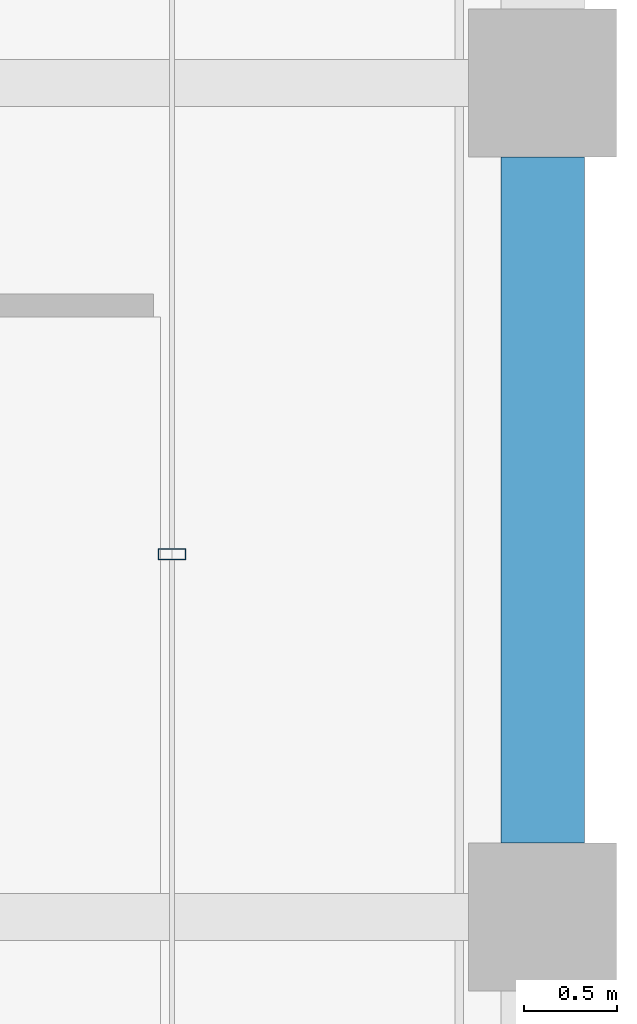
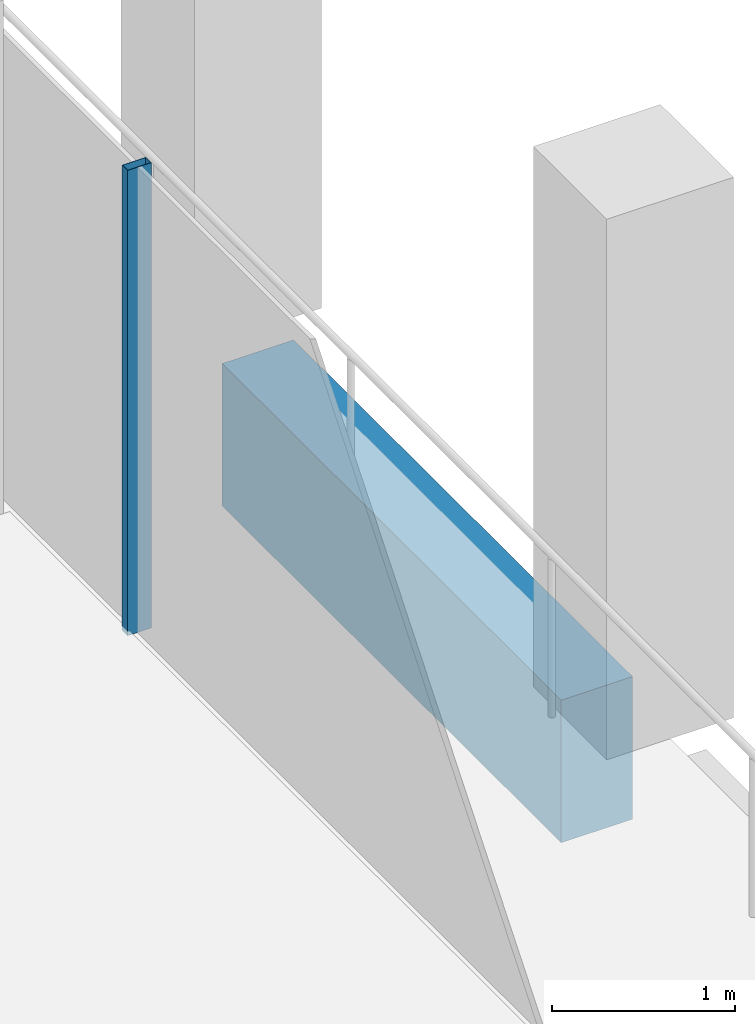
# One storey, part 17 of 30: 1 beam, 1 member, 1 element without a shape of its own.
"""IFC4 building model written with IfcOpenShell, lengths in metres."""

import ifcopenshell
import ifcopenshell.guid

model = None  # the IFC model being written
_history = None  # IfcOwnerHistory: only IFC2X3 demands one
_inside = {}  # id of a spatial element -> (the spatial element, [elements in it])
_under = {}  # id of a project, library or spatial element -> (it, [spatial elements below it])
_declared = {}  # id of a project -> (the project, [libraries it declares])
_typed = {}  # id of a type object -> (the type object, [elements of that type])
_made_of = {}  # id of a material, layer set ... -> (it, [elements and type objects made of it])


def new_model(schema):
    """Start an empty IFC model of exactly this schema.

    Asked for "IFC4X3", IfcOpenShell would pick the latest addendum, in which some entities
    have other attributes; the version numbers below select the first issue.
    IFC2X3 requires an IfcOwnerHistory on every rooted entity: one is made here for all.
    """
    global model, _history
    if schema == "IFC4X3":
        model = ifcopenshell.file(schema_version=(4, 3, 0, 0))
    else:
        model = ifcopenshell.file(schema=schema)
    _inside.clear()
    _under.clear()
    _declared.clear()
    _typed.clear()
    _made_of.clear()
    _history = None
    if model.schema == "IFC2X3":
        org = make("IfcOrganization", Name="unknown")
        user = make(
            "IfcPersonAndOrganization",
            ThePerson=make("IfcPerson", FamilyName="unknown"),
            TheOrganization=org,
        )
        app = make(
            "IfcApplication",
            ApplicationDeveloper=org,
            Version="unknown",
            ApplicationFullName="unknown",
            ApplicationIdentifier="unknown",
        )
        _history = make(
            "IfcOwnerHistory",
            OwningUser=user,
            OwningApplication=app,
            ChangeAction="ADDED",
            CreationDate=0,
        )
    return model


def make(cls, **values):
    """One entity of the class cls with the attributes given. An attribute that is None is left unset."""
    return model.create_entity(
        cls, **{name: value for name, value in values.items() if value is not None}
    )


def rooted(cls, **values):
    """An entity with a GlobalId (a new one), such as an element, a storey or a relation."""
    return make(cls, GlobalId=ifcopenshell.guid.new(), OwnerHistory=_history, **values)


def si_unit(unit_type, name, prefix=None):
    """IfcSIUnit, for example si_unit("LENGTHUNIT", "METRE", prefix="MILLI")."""
    return make("IfcSIUnit", UnitType=unit_type, Prefix=prefix, Name=name)


def assignment(units):
    """IfcUnitAssignment: the units of a project."""
    return None if units is None else make("IfcUnitAssignment", Units=units)


def point(xyz):
    """IfcCartesianPoint."""
    return None if xyz is None else make("IfcCartesianPoint", Coordinates=xyz)


def direction(xyz):
    """IfcDirection."""
    return None if xyz is None else make("IfcDirection", DirectionRatios=xyz)


def frame(location, z_axis=None, x_axis=None):
    """IfcAxis2Placement3D, a coordinate frame: its origin and axes. An axis left out is left unset."""
    return make(
        "IfcAxis2Placement3D",
        Location=point(location),
        Axis=direction(z_axis),
        RefDirection=direction(x_axis),
    )


def frame_2d(location, x_axis=None):
    """IfcAxis2Placement2D, a coordinate frame in the plane: its origin and x axis."""
    return make(
        "IfcAxis2Placement2D", Location=point(location), RefDirection=direction(x_axis)
    )


def origin():
    """The frame at (0, 0, 0) with its axes left unset."""
    return frame((0.0, 0.0, 0.0))


def origin_2d():
    """The frame at (0, 0) in the plane with its x axis left unset."""
    return frame_2d((0.0, 0.0))


def place(relative_to, where):
    """IfcLocalPlacement: puts the frame where relative to a parent placement (None: the world)."""
    return make(
        "IfcLocalPlacement", PlacementRelTo=relative_to, RelativePlacement=where
    )


def context(
    kind, dimensions, precision=None, world=None, true_north=None, identifier=None
):
    """IfcGeometricRepresentationContext, for example the 3D "Model" context."""
    return make(
        "IfcGeometricRepresentationContext",
        ContextIdentifier=identifier,
        ContextType=kind,
        CoordinateSpaceDimension=dimensions,
        Precision=precision,
        WorldCoordinateSystem=world,
        TrueNorth=true_north,
    )


def subcontext(parent, identifier, kind, view, scale=None):
    """IfcGeometricRepresentationSubContext, for example "Body" below "Model"."""
    return make(
        "IfcGeometricRepresentationSubContext",
        ContextIdentifier=identifier,
        ContextType=kind,
        ParentContext=parent,
        TargetScale=scale,
        TargetView=view,
    )


def project(units=None, contexts=None):
    """IfcProject with its units and contexts."""
    return rooted(
        "IfcProject",
        Name="project",
        RepresentationContexts=contexts,
        UnitsInContext=assignment(units),
    )


def spatial(cls, under=None, at=None, **own):
    """A site, building, storey or space (cls), placed at a placement, below another one or the project."""
    s = rooted(cls, ObjectPlacement=at, **own)
    if under is not None:
        _under.setdefault(under.id(), (under, []))[1].append(s)
    return s


def profile(cls, at=None, kind="AREA", **sizes):
    """A parametric profile (cls). Its sizes go by their IFC names, for example OverallWidth=200.0."""
    return make(cls, ProfileType=kind, Position=at, **sizes)


def rectangle(**sizes):
    """IfcRectangleProfileDef."""
    return profile("IfcRectangleProfileDef", **sizes)


def hollow_rectangle(**sizes):
    """IfcRectangleHollowProfileDef."""
    return profile("IfcRectangleHollowProfileDef", **sizes)


def extrude(swept, where, along, depth):
    """IfcExtrudedAreaSolid: the profile swept, set in the frame where, extruded along a direction by depth."""
    return make(
        "IfcExtrudedAreaSolid",
        SweptArea=swept,
        Position=where,
        ExtrudedDirection=direction(along),
        Depth=depth,
    )


def shape(context_of_items, identifier, shape_type, items):
    """IfcShapeRepresentation: the items that make up one representation, for example the "Body"."""
    return make(
        "IfcShapeRepresentation",
        ContextOfItems=context_of_items,
        RepresentationIdentifier=identifier,
        RepresentationType=shape_type,
        Items=items,
    )


def material(Name=None, Category=None):
    """IfcMaterial."""
    return make("IfcMaterial", Name=Name, Category=Category)


def material_profile(
    of_material, cross_section, Name=None, Category=None, Priority=None
):
    """IfcMaterialProfile: a cross section and its material."""
    return make(
        "IfcMaterialProfile",
        Name=Name,
        Material=of_material,
        Profile=cross_section,
        Priority=Priority,
        Category=Category,
    )


def profile_set(profiles, Name=None, composite=None):
    """IfcMaterialProfileSet."""
    return make(
        "IfcMaterialProfileSet",
        Name=Name,
        MaterialProfiles=profiles,
        CompositeProfile=composite,
    )


def made_of(thing, what):
    """Note that an element or type object is made of a material, layer set ...; save() writes the relation."""
    if what is not None:
        _made_of.setdefault(what.id(), (what, []))[1].append(thing)
    return thing


def type_object(cls, material=None, **own):
    """A type object (cls), such as IfcWallType, which elements share."""
    return made_of(rooted(cls, **own), material)


def element(
    cls,
    number,
    at=None,
    inside=None,
    cuts=None,
    type_object=None,
    material=None,
    context=None,
    identifier="Body",
    shape_type=None,
    held_by="IfcProductDefinitionShape",
    body=None,
    shapes=None,
    **own,
):
    """One element of the class cls, such as IfcWall. Its Tag is "e" and its number.

    at: its placement. inside: the storey or other place that contains it. cuts: it is an
    opening in that element (IfcRelVoidsElement). A single representation is given by context,
    identifier, shape_type and body (its items); several are given by shapes. held_by: the class
    of the entity that holds the representations. save() writes the other relations.
    """
    e = rooted(cls, Tag="e%d" % number, ObjectPlacement=at, **own)
    if body is not None:
        shapes = [shape(context, identifier, shape_type, body)]
    if shapes is not None:
        e.Representation = make(held_by, Representations=shapes)
    if inside is not None:
        _inside.setdefault(inside.id(), (inside, []))[1].append(e)
    if cuts is not None:
        rooted(
            "IfcRelVoidsElement", RelatingBuildingElement=cuts, RelatedOpeningElement=e
        )
    if type_object is not None:
        _typed.setdefault(type_object.id(), (type_object, []))[1].append(e)
    return made_of(e, material)


def aggregate(whole, parts):
    """IfcRelAggregates: a whole, such as a stair, and the parts it consists of."""
    return rooted("IfcRelAggregates", RelatingObject=whole, RelatedObjects=parts)


def save(model, path):
    """Write the relations noted so far, then the file.

    IfcRelAggregates (storeys below a building ...), IfcRelContainedInSpatialStructure (elements
    in a storey), IfcRelDefinesByType, IfcRelAssociatesMaterial and IfcRelDeclares: one each for
    every whole, place, type object, material and project.
    """
    for whole, parts in _under.values():
        aggregate(whole, parts)
    for where, things in _inside.values():
        rooted(
            "IfcRelContainedInSpatialStructure",
            RelatedElements=things,
            RelatingStructure=where,
        )
    for kind, things in _typed.values():
        rooted("IfcRelDefinesByType", RelatedObjects=things, RelatingType=kind)
    for what, things in _made_of.values():
        rooted("IfcRelAssociatesMaterial", RelatedObjects=things, RelatingMaterial=what)
    for by, libraries in _declared.values():
        rooted("IfcRelDeclares", RelatingContext=by, RelatedDefinitions=libraries)
    model.write(path)


model = new_model("IFC4")

# Units and contexts
model_context = context("Model", 3, precision=1e-05, world=origin(), true_north=direction((0.0, 1.0)))
body_context = subcontext(model_context, "Body", "Model", "MODEL_VIEW")
ifc_project = project(units=[si_unit("LENGTHUNIT", "METRE"), si_unit("AREAUNIT", "SQUARE_METRE"), si_unit("VOLUMEUNIT", "CUBIC_METRE"), si_unit("PLANEANGLEUNIT", "RADIAN"), si_unit("MASSUNIT", "GRAM", prefix="KILO")], contexts=[model_context])

# Site, building, storey
site_placement = place(None, origin())
site = spatial("IfcSite", under=ifc_project, at=site_placement, CompositionType="ELEMENT")
building_placement = place(site_placement, origin())
building = spatial("IfcBuilding", under=site, at=building_placement, Name="Altepetl Exchange Towers", CompositionType="ELEMENT")
storey_placement = place(building_placement, frame((0.0, 0.0, 224.39990234375)))
storey = spatial("IfcBuildingStorey", under=building, at=storey_placement, Name="L57", CompositionType="ELEMENT", Elevation=224.39990234375)

# Curtain wall, member
ifc_material_1 = material(Name="Aluminium 6063-T6 glazing", Category="aluminium")
curtain_wall_type = type_object("IfcCurtainWallType", Name="Loggia glazing system", PredefinedType="NOTDEFINED", material=ifc_material_1)
curtain_wall_placement = place(storey_placement, origin())
curtain_wall = element("IfcCurtainWall", 1, at=curtain_wall_placement, inside=storey, type_object=curtain_wall_type, Name="CW1 run", PredefinedType="NOTDEFINED")
ifc_material_2 = material(Name="Aluminium 6063-T6", Category="aluminium")
ifc_material_profile_1 = material_profile(ifc_material_2, hollow_rectangle(XDim=0.06005859375, YDim=0.14990234375, WallThickness=0.0029296875, at=origin_2d()), Name="Mullion 60x150 aluminium")
ifc_profile_set_1 = profile_set([ifc_material_profile_1], Name="Aluminium 6063-T6")
member_type = type_object("IfcMemberType", Name="Mullion 60x150 aluminium", PredefinedType="MULLION", material=ifc_profile_set_1)
member_placement = place(storey_placement, frame((70.0, 46.9580078125, 0.0), z_axis=(0.0, 0.0, 1.0), x_axis=(0.0, 1.0, 0.0)))
member = element("IfcMember", 2, at=member_placement, type_object=member_type, Name="MU1 mullion", PredefinedType="MULLION", context=body_context, shape_type="SweptSolid", body=[
    extrude(hollow_rectangle(XDim=0.06005859375, YDim=0.14990234375, WallThickness=0.0029296875, at=origin_2d()), origin(), (0.0, 0.0, 1.0), 3.10009765625),
])
aggregate(curtain_wall, [member])

# Beam
ifc_material_3 = material(Name="Concrete C50/60 precast with cantera amarilla facing", Category="concrete")
ifc_material_profile_2 = material_profile(ifc_material_3, rectangle(XDim=0.449951171875, YDim=0.949951171875, at=origin_2d()), Name="450 x 950")
ifc_profile_set_2 = profile_set([ifc_material_profile_2], Name="Concrete C50/60 precast with cantera amarilla facing")
beam_type = type_object("IfcBeamType", Name="Spandrel beam 450x950 cantera amarilla", PredefinedType="SPANDREL", material=ifc_profile_set_2)
beam_placement = place(storey_placement, frame((72.0, 45.39990234375, -0.625), z_axis=(0.0, 1.0, 0.0), x_axis=(-1.0, 0.0, 0.0)))
element("IfcBeam", 3, at=beam_placement, inside=storey, type_object=beam_type, Name="sp:A:L57:015", PredefinedType="SPANDREL", context=body_context, shape_type="SweptSolid", body=[
    extrude(rectangle(XDim=0.449951171875, YDim=0.949951171875, at=origin_2d()), origin(), (0.0, 0.0, 1.0), 3.7001953125),
])

save(model, "model.ifc")
